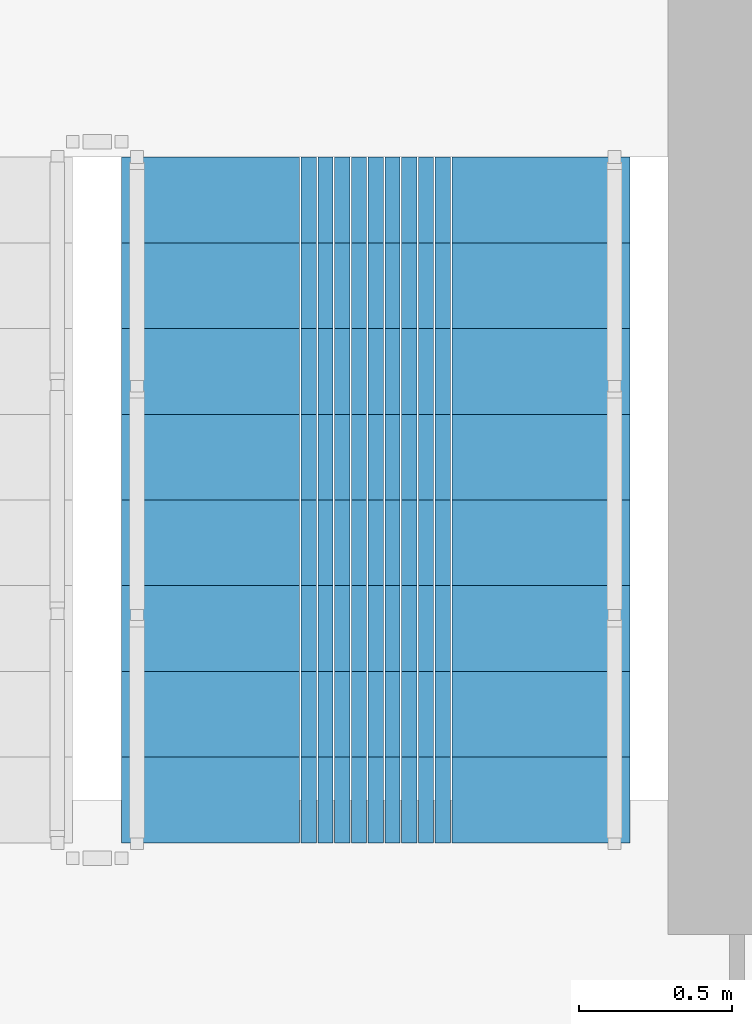
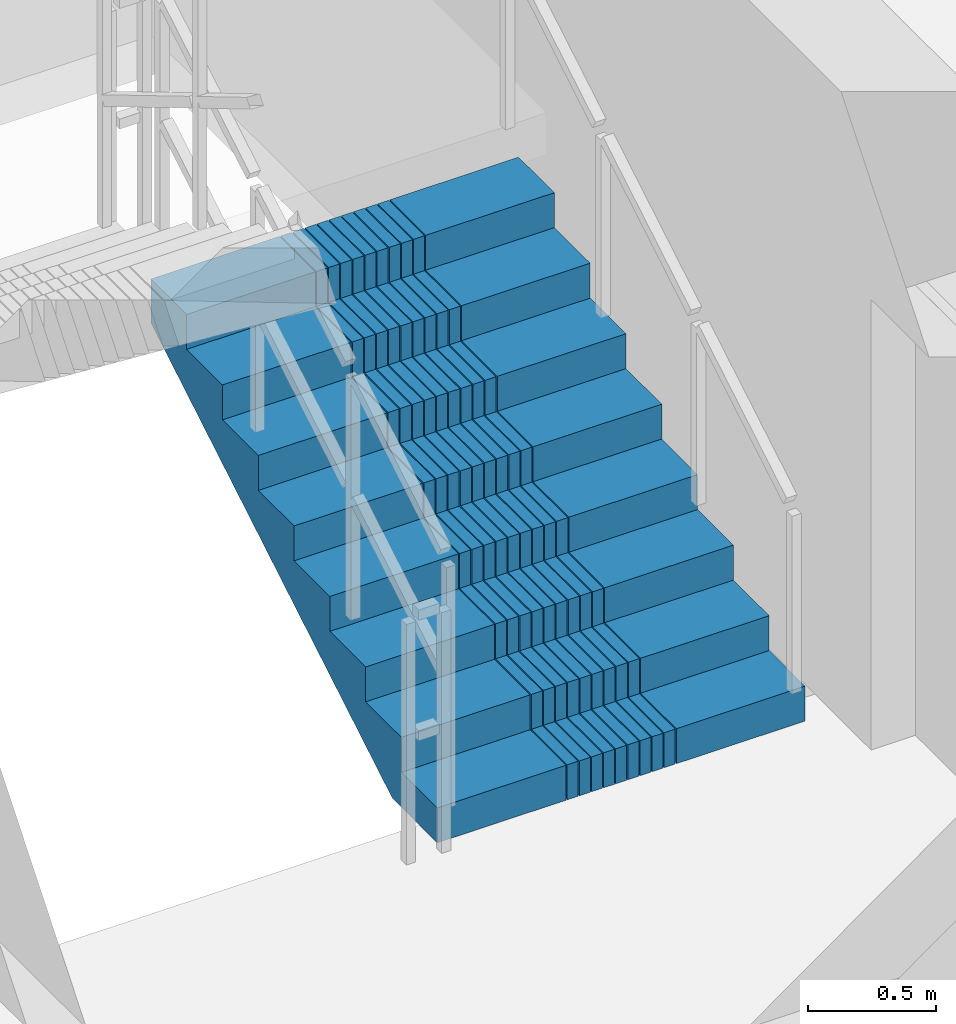
# One storey, part 9 of 14: 1 stair flight, 1 element without a shape of its own.
"""IFC4 building model written with IfcOpenShell, lengths in metres."""

from ifc_helpers import new_model, si_unit, direction, frame, origin, place, context, subcontext, project, spatial, polyline, outline, extrude, material, type_object, element, aggregate, save


model = new_model("IFC4")

# Units and contexts
model_context = context("Model", 3, precision=1e-05, world=origin(), true_north=direction((0.0, 1.0)))
body_context = subcontext(model_context, "Body", "Model", "MODEL_VIEW")
ifc_project = project(units=[si_unit("LENGTHUNIT", "METRE"), si_unit("AREAUNIT", "SQUARE_METRE"), si_unit("VOLUMEUNIT", "CUBIC_METRE"), si_unit("PLANEANGLEUNIT", "RADIAN"), si_unit("MASSUNIT", "GRAM", prefix="KILO")], contexts=[model_context])

# Site, building, storey
site_placement = place(None, origin())
site = spatial("IfcSite", under=ifc_project, at=site_placement, CompositionType="ELEMENT")
building_placement = place(site_placement, origin())
building = spatial("IfcBuilding", under=site, at=building_placement, Name="Saelheon Loggia Tower", CompositionType="ELEMENT")
storey_placement = place(building_placement, frame((0.0, 0.0, 233.10009765625)))
storey = spatial("IfcBuildingStorey", under=building, at=storey_placement, Name="L72", CompositionType="ELEMENT", Elevation=233.10009765625)

# Stair, stair flight
ifc_material = material(Name="Concrete C40/50", Category="concrete")
stair_type = type_object("IfcStairType", Name="Stair_Escape_Core", PredefinedType="HALF_TURN_STAIR", material=ifc_material)
stair_placement = place(storey_placement, origin())
stair = element("IfcStair", 1, at=stair_placement, inside=storey, type_object=stair_type, Name="L72 Special Escape Stair ST2", PredefinedType="HALF_TURN_STAIR")
stair_flight_type = type_object("IfcStairFlightType", Name="StairFlight_Tower_1660", PredefinedType="STRAIGHT", material=ifc_material)
stair_flight_placement = place(storey_placement, frame((43.320068359375, 30.449951171875, 0.0), z_axis=(0.0, 0.0, 1.0), x_axis=(0.0, 1.0, 0.0)))
stair_flight = element("IfcStairFlight", 2, at=stair_flight_placement, type_object=stair_flight_type, Name="ST2 flight 1", NumberOfRisers=9, NumberOfTreads=8, PredefinedType="STRAIGHT", RiserHeight=0.166666667, TreadLength=0.28, context=body_context, shape_type="SweptSolid", body=[
    extrude(outline(polyline([(0.0, 0.0), (0.0, 0.166748046875), (0.280029296875, 0.166748046875), (0.280029296875, 0.333251953125), (0.56005859375, 0.333251953125), (0.56005859375, 0.5), (0.840087890625, 0.5), (0.840087890625, 0.666748046875), (1.1201171875, 0.666748046875), (1.1201171875, 0.833251953125), (1.39990234375, 0.833251953125), (1.39990234375, 1.0), (1.679931640625, 1.0), (1.679931640625, 1.166748046875), (1.9599609375, 1.166748046875), (1.9599609375, 1.333251953125), (2.239990234375, 1.333251953125), (2.239990234375, 1.5), (2.239990234375, 1.1240234375), (0.351806640625, 0.0), (0.0, 0.0)])), frame((0.0, -0.2490234375, 0.0), z_axis=(0.0, -1.0, 0.0), x_axis=(1.0, 0.0, 0.0)), (0.0, 0.0, 1.0), 0.5810546875),
    extrude(outline(polyline([(0.0, 0.0), (0.0, 0.166748046875), (0.280029296875, 0.166748046875), (0.280029296875, 0.333251953125), (0.56005859375, 0.333251953125), (0.56005859375, 0.5), (0.840087890625, 0.5), (0.840087890625, 0.666748046875), (1.1201171875, 0.666748046875), (1.1201171875, 0.833251953125), (1.39990234375, 0.833251953125), (1.39990234375, 1.0), (1.679931640625, 1.0), (1.679931640625, 1.166748046875), (1.9599609375, 1.166748046875), (1.9599609375, 1.333251953125), (2.239990234375, 1.333251953125), (2.239990234375, 1.5), (2.239990234375, 1.1240234375), (0.351806640625, 0.0), (0.0, 0.0)])), frame((0.0, -0.194091796875, 0.0), z_axis=(0.0, -1.0, 0.0), x_axis=(1.0, 0.0, 0.0)), (0.0, 0.0, 1.0), 0.0498046875),
    extrude(outline(polyline([(0.0, 0.0), (0.0, 0.166748046875), (0.280029296875, 0.166748046875), (0.280029296875, 0.333251953125), (0.56005859375, 0.333251953125), (0.56005859375, 0.5), (0.840087890625, 0.5), (0.840087890625, 0.666748046875), (1.1201171875, 0.666748046875), (1.1201171875, 0.833251953125), (1.39990234375, 0.833251953125), (1.39990234375, 1.0), (1.679931640625, 1.0), (1.679931640625, 1.166748046875), (1.9599609375, 1.166748046875), (1.9599609375, 1.333251953125), (2.239990234375, 1.333251953125), (2.239990234375, 1.5), (2.239990234375, 1.1240234375), (0.351806640625, 0.0), (0.0, 0.0)])), frame((0.0, -0.139404296875, 0.0), z_axis=(0.0, -1.0, 0.0), x_axis=(1.0, 0.0, 0.0)), (0.0, 0.0, 1.0), 0.0498046875),
    extrude(outline(polyline([(0.0, 0.0), (0.0, 0.166748046875), (0.280029296875, 0.166748046875), (0.280029296875, 0.333251953125), (0.56005859375, 0.333251953125), (0.56005859375, 0.5), (0.840087890625, 0.5), (0.840087890625, 0.666748046875), (1.1201171875, 0.666748046875), (1.1201171875, 0.833251953125), (1.39990234375, 0.833251953125), (1.39990234375, 1.0), (1.679931640625, 1.0), (1.679931640625, 1.166748046875), (1.9599609375, 1.166748046875), (1.9599609375, 1.333251953125), (2.239990234375, 1.333251953125), (2.239990234375, 1.5), (2.239990234375, 1.1240234375), (0.351806640625, 0.0), (0.0, 0.0)])), frame((0.0, -0.084716796875, 0.0), z_axis=(0.0, -1.0, 0.0), x_axis=(1.0, 0.0, 0.0)), (0.0, 0.0, 1.0), 0.0498046875),
    extrude(outline(polyline([(0.0, 0.0), (0.0, 0.166748046875), (0.280029296875, 0.166748046875), (0.280029296875, 0.333251953125), (0.56005859375, 0.333251953125), (0.56005859375, 0.5), (0.840087890625, 0.5), (0.840087890625, 0.666748046875), (1.1201171875, 0.666748046875), (1.1201171875, 0.833251953125), (1.39990234375, 0.833251953125), (1.39990234375, 1.0), (1.679931640625, 1.0), (1.679931640625, 1.166748046875), (1.9599609375, 1.166748046875), (1.9599609375, 1.333251953125), (2.239990234375, 1.333251953125), (2.239990234375, 1.5), (2.239990234375, 1.1240234375), (0.351806640625, 0.0), (0.0, 0.0)])), frame((0.0, -0.02978515625, 0.0), z_axis=(0.0, -1.0, 0.0), x_axis=(1.0, 0.0, 0.0)), (0.0, 0.0, 1.0), 0.0498046875),
    extrude(outline(polyline([(0.0, 0.0), (0.0, 0.166748046875), (0.280029296875, 0.166748046875), (0.280029296875, 0.333251953125), (0.56005859375, 0.333251953125), (0.56005859375, 0.5), (0.840087890625, 0.5), (0.840087890625, 0.666748046875), (1.1201171875, 0.666748046875), (1.1201171875, 0.833251953125), (1.39990234375, 0.833251953125), (1.39990234375, 1.0), (1.679931640625, 1.0), (1.679931640625, 1.166748046875), (1.9599609375, 1.166748046875), (1.9599609375, 1.333251953125), (2.239990234375, 1.333251953125), (2.239990234375, 1.5), (2.239990234375, 1.1240234375), (0.351806640625, 0.0), (0.0, 0.0)])), frame((0.0, 0.02490234375, 0.0), z_axis=(0.0, -1.0, 0.0), x_axis=(1.0, 0.0, 0.0)), (0.0, 0.0, 1.0), 0.0498046875),
    extrude(outline(polyline([(0.0, 0.0), (0.0, 0.166748046875), (0.280029296875, 0.166748046875), (0.280029296875, 0.333251953125), (0.56005859375, 0.333251953125), (0.56005859375, 0.5), (0.840087890625, 0.5), (0.840087890625, 0.666748046875), (1.1201171875, 0.666748046875), (1.1201171875, 0.833251953125), (1.39990234375, 0.833251953125), (1.39990234375, 1.0), (1.679931640625, 1.0), (1.679931640625, 1.166748046875), (1.9599609375, 1.166748046875), (1.9599609375, 1.333251953125), (2.239990234375, 1.333251953125), (2.239990234375, 1.5), (2.239990234375, 1.1240234375), (0.351806640625, 0.0), (0.0, 0.0)])), frame((0.0, 0.07958984375, 0.0), z_axis=(0.0, -1.0, 0.0), x_axis=(1.0, 0.0, 0.0)), (0.0, 0.0, 1.0), 0.0498046875),
    extrude(outline(polyline([(0.0, 0.0), (0.0, 0.166748046875), (0.280029296875, 0.166748046875), (0.280029296875, 0.333251953125), (0.56005859375, 0.333251953125), (0.56005859375, 0.5), (0.840087890625, 0.5), (0.840087890625, 0.666748046875), (1.1201171875, 0.666748046875), (1.1201171875, 0.833251953125), (1.39990234375, 0.833251953125), (1.39990234375, 1.0), (1.679931640625, 1.0), (1.679931640625, 1.166748046875), (1.9599609375, 1.166748046875), (1.9599609375, 1.333251953125), (2.239990234375, 1.333251953125), (2.239990234375, 1.5), (2.239990234375, 1.1240234375), (0.351806640625, 0.0), (0.0, 0.0)])), frame((0.0, 0.134521484375, 0.0), z_axis=(0.0, -1.0, 0.0), x_axis=(1.0, 0.0, 0.0)), (0.0, 0.0, 1.0), 0.0498046875),
    extrude(outline(polyline([(0.0, 0.0), (0.0, 0.166748046875), (0.280029296875, 0.166748046875), (0.280029296875, 0.333251953125), (0.56005859375, 0.333251953125), (0.56005859375, 0.5), (0.840087890625, 0.5), (0.840087890625, 0.666748046875), (1.1201171875, 0.666748046875), (1.1201171875, 0.833251953125), (1.39990234375, 0.833251953125), (1.39990234375, 1.0), (1.679931640625, 1.0), (1.679931640625, 1.166748046875), (1.9599609375, 1.166748046875), (1.9599609375, 1.333251953125), (2.239990234375, 1.333251953125), (2.239990234375, 1.5), (2.239990234375, 1.1240234375), (0.351806640625, 0.0), (0.0, 0.0)])), frame((0.0, 0.189208984375, 0.0), z_axis=(0.0, -1.0, 0.0), x_axis=(1.0, 0.0, 0.0)), (0.0, 0.0, 1.0), 0.0498046875),
    extrude(outline(polyline([(0.0, 0.0), (0.0, 0.166748046875), (0.280029296875, 0.166748046875), (0.280029296875, 0.333251953125), (0.56005859375, 0.333251953125), (0.56005859375, 0.5), (0.840087890625, 0.5), (0.840087890625, 0.666748046875), (1.1201171875, 0.666748046875), (1.1201171875, 0.833251953125), (1.39990234375, 0.833251953125), (1.39990234375, 1.0), (1.679931640625, 1.0), (1.679931640625, 1.166748046875), (1.9599609375, 1.166748046875), (1.9599609375, 1.333251953125), (2.239990234375, 1.333251953125), (2.239990234375, 1.5), (2.239990234375, 1.1240234375), (0.351806640625, 0.0), (0.0, 0.0)])), frame((0.0, 0.243896484375, 0.0), z_axis=(0.0, -1.0, 0.0), x_axis=(1.0, 0.0, 0.0)), (0.0, 0.0, 1.0), 0.0498046875),
    extrude(outline(polyline([(0.0, 0.0), (0.0, 0.166748046875), (0.280029296875, 0.166748046875), (0.280029296875, 0.333251953125), (0.56005859375, 0.333251953125), (0.56005859375, 0.5), (0.840087890625, 0.5), (0.840087890625, 0.666748046875), (1.1201171875, 0.666748046875), (1.1201171875, 0.833251953125), (1.39990234375, 0.833251953125), (1.39990234375, 1.0), (1.679931640625, 1.0), (1.679931640625, 1.166748046875), (1.9599609375, 1.166748046875), (1.9599609375, 1.333251953125), (2.239990234375, 1.333251953125), (2.239990234375, 1.5), (2.239990234375, 1.1240234375), (0.351806640625, 0.0), (0.0, 0.0)])), frame((0.0, 0.830078125, 0.0), z_axis=(0.0, -1.0, 0.0), x_axis=(1.0, 0.0, 0.0)), (0.0, 0.0, 1.0), 0.5810546875),
])
aggregate(stair, [stair_flight])

save(model, "model.ifc")
